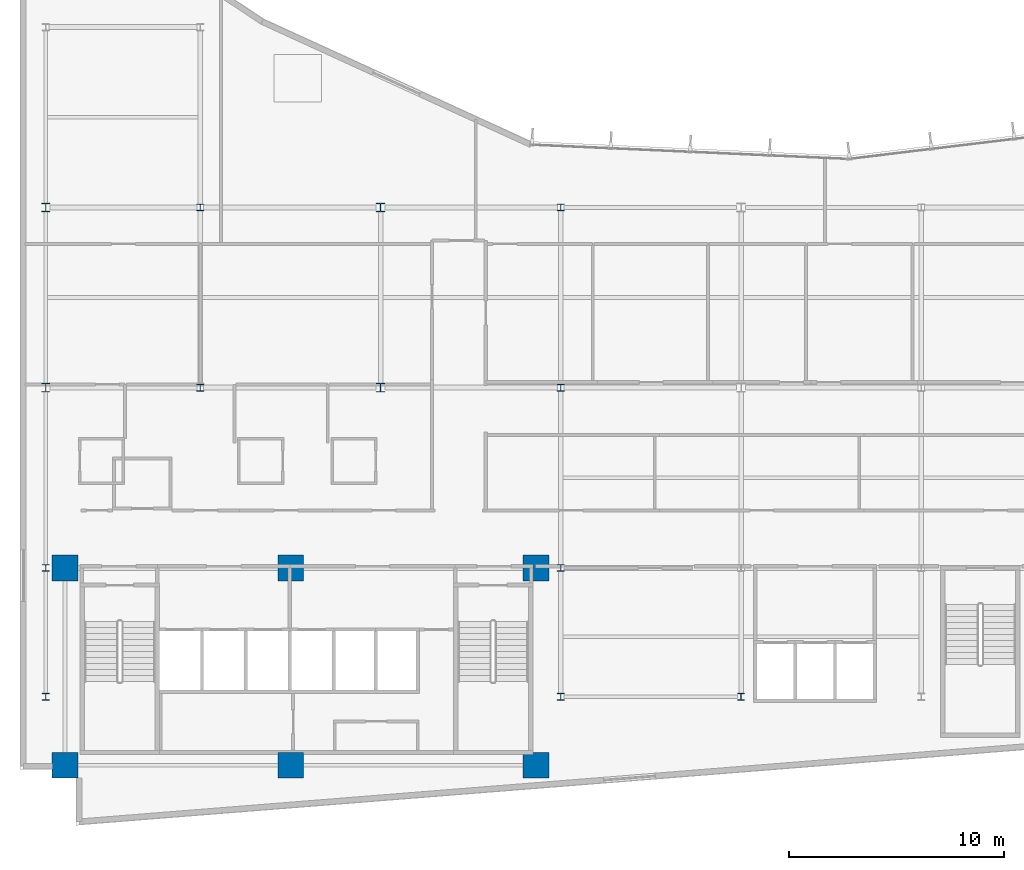
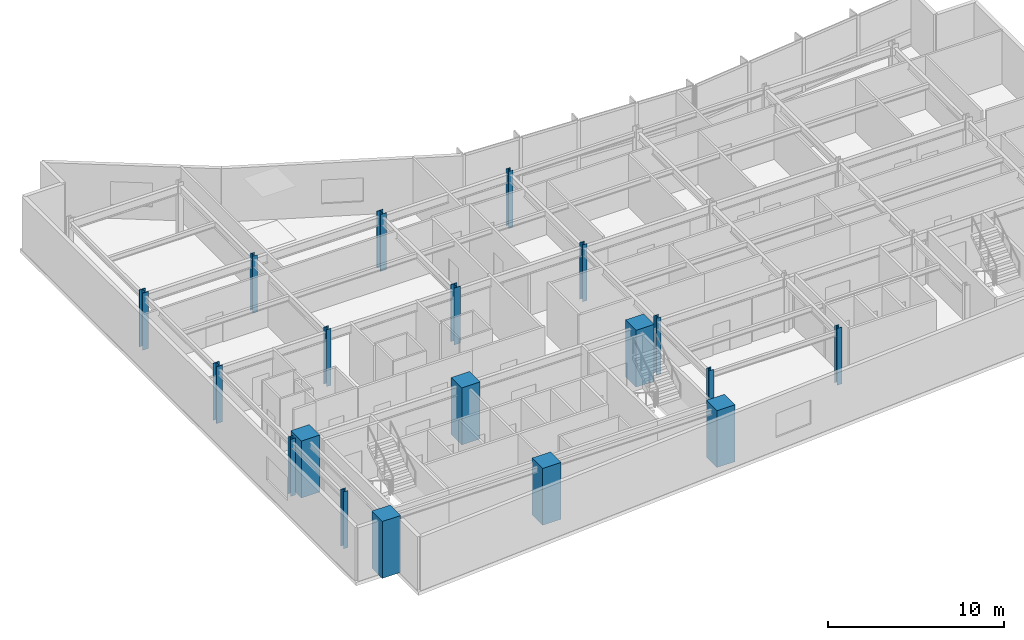
# One storey, part 1 of 18: 19 columns.
"""IFC4 building model written with IfcOpenShell, lengths in metres."""

import ifcopenshell
import ifcopenshell.guid

model = None  # the IFC model being written
_history = None  # IfcOwnerHistory: only IFC2X3 demands one
_inside = {}  # id of a spatial element -> (the spatial element, [elements in it])
_under = {}  # id of a project, library or spatial element -> (it, [spatial elements below it])
_declared = {}  # id of a project -> (the project, [libraries it declares])
_typed = {}  # id of a type object -> (the type object, [elements of that type])
_made_of = {}  # id of a material, layer set ... -> (it, [elements and type objects made of it])


def new_model(schema):
    """Start an empty IFC model of exactly this schema.

    Asked for "IFC4X3", IfcOpenShell would pick the latest addendum, in which some entities
    have other attributes; the version numbers below select the first issue.
    IFC2X3 requires an IfcOwnerHistory on every rooted entity: one is made here for all.
    """
    global model, _history
    if schema == "IFC4X3":
        model = ifcopenshell.file(schema_version=(4, 3, 0, 0))
    else:
        model = ifcopenshell.file(schema=schema)
    _inside.clear()
    _under.clear()
    _declared.clear()
    _typed.clear()
    _made_of.clear()
    _history = None
    if model.schema == "IFC2X3":
        org = make("IfcOrganization", Name="unknown")
        user = make(
            "IfcPersonAndOrganization",
            ThePerson=make("IfcPerson", FamilyName="unknown"),
            TheOrganization=org,
        )
        app = make(
            "IfcApplication",
            ApplicationDeveloper=org,
            Version="unknown",
            ApplicationFullName="unknown",
            ApplicationIdentifier="unknown",
        )
        _history = make(
            "IfcOwnerHistory",
            OwningUser=user,
            OwningApplication=app,
            ChangeAction="ADDED",
            CreationDate=0,
        )
    return model


def make(cls, **values):
    """One entity of the class cls with the attributes given. An attribute that is None is left unset."""
    return model.create_entity(
        cls, **{name: value for name, value in values.items() if value is not None}
    )


def rooted(cls, **values):
    """An entity with a GlobalId (a new one), such as an element, a storey or a relation."""
    return make(cls, GlobalId=ifcopenshell.guid.new(), OwnerHistory=_history, **values)


def si_unit(unit_type, name, prefix=None):
    """IfcSIUnit, for example si_unit("LENGTHUNIT", "METRE", prefix="MILLI")."""
    return make("IfcSIUnit", UnitType=unit_type, Prefix=prefix, Name=name)


def assignment(units):
    """IfcUnitAssignment: the units of a project."""
    return None if units is None else make("IfcUnitAssignment", Units=units)


def point(xyz):
    """IfcCartesianPoint."""
    return None if xyz is None else make("IfcCartesianPoint", Coordinates=xyz)


def direction(xyz):
    """IfcDirection."""
    return None if xyz is None else make("IfcDirection", DirectionRatios=xyz)


def frame(location, z_axis=None, x_axis=None):
    """IfcAxis2Placement3D, a coordinate frame: its origin and axes. An axis left out is left unset."""
    return make(
        "IfcAxis2Placement3D",
        Location=point(location),
        Axis=direction(z_axis),
        RefDirection=direction(x_axis),
    )


def frame_2d(location, x_axis=None):
    """IfcAxis2Placement2D, a coordinate frame in the plane: its origin and x axis."""
    return make(
        "IfcAxis2Placement2D", Location=point(location), RefDirection=direction(x_axis)
    )


def origin():
    """The frame at (0, 0, 0) with its axes left unset."""
    return frame((0.0, 0.0, 0.0))


def origin_2d():
    """The frame at (0, 0) in the plane with its x axis left unset."""
    return frame_2d((0.0, 0.0))


def place(relative_to, where):
    """IfcLocalPlacement: puts the frame where relative to a parent placement (None: the world)."""
    return make(
        "IfcLocalPlacement", PlacementRelTo=relative_to, RelativePlacement=where
    )


def context(
    kind, dimensions, precision=None, world=None, true_north=None, identifier=None
):
    """IfcGeometricRepresentationContext, for example the 3D "Model" context."""
    return make(
        "IfcGeometricRepresentationContext",
        ContextIdentifier=identifier,
        ContextType=kind,
        CoordinateSpaceDimension=dimensions,
        Precision=precision,
        WorldCoordinateSystem=world,
        TrueNorth=true_north,
    )


def subcontext(parent, identifier, kind, view, scale=None):
    """IfcGeometricRepresentationSubContext, for example "Body" below "Model"."""
    return make(
        "IfcGeometricRepresentationSubContext",
        ContextIdentifier=identifier,
        ContextType=kind,
        ParentContext=parent,
        TargetScale=scale,
        TargetView=view,
    )


def project(units=None, contexts=None):
    """IfcProject with its units and contexts."""
    return rooted(
        "IfcProject",
        Name="project",
        RepresentationContexts=contexts,
        UnitsInContext=assignment(units),
    )


def spatial(cls, under=None, at=None, **own):
    """A site, building, storey or space (cls), placed at a placement, below another one or the project."""
    s = rooted(cls, ObjectPlacement=at, **own)
    if under is not None:
        _under.setdefault(under.id(), (under, []))[1].append(s)
    return s


def profile(cls, at=None, kind="AREA", **sizes):
    """A parametric profile (cls). Its sizes go by their IFC names, for example OverallWidth=200.0."""
    return make(cls, ProfileType=kind, Position=at, **sizes)


def rectangle(**sizes):
    """IfcRectangleProfileDef."""
    return profile("IfcRectangleProfileDef", **sizes)


def i_section(**sizes):
    """IfcIShapeProfileDef."""
    return profile("IfcIShapeProfileDef", **sizes)


def extrude(swept, where, along, depth):
    """IfcExtrudedAreaSolid: the profile swept, set in the frame where, extruded along a direction by depth."""
    return make(
        "IfcExtrudedAreaSolid",
        SweptArea=swept,
        Position=where,
        ExtrudedDirection=direction(along),
        Depth=depth,
    )


def shape(context_of_items, identifier, shape_type, items):
    """IfcShapeRepresentation: the items that make up one representation, for example the "Body"."""
    return make(
        "IfcShapeRepresentation",
        ContextOfItems=context_of_items,
        RepresentationIdentifier=identifier,
        RepresentationType=shape_type,
        Items=items,
    )


def material(Name=None, Category=None):
    """IfcMaterial."""
    return make("IfcMaterial", Name=Name, Category=Category)


def material_profile(
    of_material, cross_section, Name=None, Category=None, Priority=None
):
    """IfcMaterialProfile: a cross section and its material."""
    return make(
        "IfcMaterialProfile",
        Name=Name,
        Material=of_material,
        Profile=cross_section,
        Priority=Priority,
        Category=Category,
    )


def profile_set(profiles, Name=None, composite=None):
    """IfcMaterialProfileSet."""
    return make(
        "IfcMaterialProfileSet",
        Name=Name,
        MaterialProfiles=profiles,
        CompositeProfile=composite,
    )


def made_of(thing, what):
    """Note that an element or type object is made of a material, layer set ...; save() writes the relation."""
    if what is not None:
        _made_of.setdefault(what.id(), (what, []))[1].append(thing)
    return thing


def type_object(cls, material=None, **own):
    """A type object (cls), such as IfcWallType, which elements share."""
    return made_of(rooted(cls, **own), material)


def element(
    cls,
    number,
    at=None,
    inside=None,
    cuts=None,
    type_object=None,
    material=None,
    context=None,
    identifier="Body",
    shape_type=None,
    held_by="IfcProductDefinitionShape",
    body=None,
    shapes=None,
    **own,
):
    """One element of the class cls, such as IfcWall. Its Tag is "e" and its number.

    at: its placement. inside: the storey or other place that contains it. cuts: it is an
    opening in that element (IfcRelVoidsElement). A single representation is given by context,
    identifier, shape_type and body (its items); several are given by shapes. held_by: the class
    of the entity that holds the representations. save() writes the other relations.
    """
    e = rooted(cls, Tag="e%d" % number, ObjectPlacement=at, **own)
    if body is not None:
        shapes = [shape(context, identifier, shape_type, body)]
    if shapes is not None:
        e.Representation = make(held_by, Representations=shapes)
    if inside is not None:
        _inside.setdefault(inside.id(), (inside, []))[1].append(e)
    if cuts is not None:
        rooted(
            "IfcRelVoidsElement", RelatingBuildingElement=cuts, RelatedOpeningElement=e
        )
    if type_object is not None:
        _typed.setdefault(type_object.id(), (type_object, []))[1].append(e)
    return made_of(e, material)


def aggregate(whole, parts):
    """IfcRelAggregates: a whole, such as a stair, and the parts it consists of."""
    return rooted("IfcRelAggregates", RelatingObject=whole, RelatedObjects=parts)


def save(model, path):
    """Write the relations noted so far, then the file.

    IfcRelAggregates (storeys below a building ...), IfcRelContainedInSpatialStructure (elements
    in a storey), IfcRelDefinesByType, IfcRelAssociatesMaterial and IfcRelDeclares: one each for
    every whole, place, type object, material and project.
    """
    for whole, parts in _under.values():
        aggregate(whole, parts)
    for where, things in _inside.values():
        rooted(
            "IfcRelContainedInSpatialStructure",
            RelatedElements=things,
            RelatingStructure=where,
        )
    for kind, things in _typed.values():
        rooted("IfcRelDefinesByType", RelatedObjects=things, RelatingType=kind)
    for what, things in _made_of.values():
        rooted("IfcRelAssociatesMaterial", RelatedObjects=things, RelatingMaterial=what)
    for by, libraries in _declared.values():
        rooted("IfcRelDeclares", RelatingContext=by, RelatedDefinitions=libraries)
    model.write(path)


model = new_model("IFC4")

# Units and contexts
model_context = context("Model", 3, precision=1e-05, world=origin(), true_north=direction((0.0, 1.0)))
body_context = subcontext(model_context, "Body", "Model", "MODEL_VIEW")
ifc_project = project(units=[si_unit("LENGTHUNIT", "METRE"), si_unit("AREAUNIT", "SQUARE_METRE"), si_unit("VOLUMEUNIT", "CUBIC_METRE"), si_unit("PLANEANGLEUNIT", "RADIAN"), si_unit("MASSUNIT", "GRAM", prefix="KILO")], contexts=[model_context])

# Site, building, storey
site_placement = place(None, origin())
site = spatial("IfcSite", under=ifc_project, at=site_placement, CompositionType="ELEMENT")
building_placement = place(site_placement, origin())
building = spatial("IfcBuilding", under=site, at=building_placement, Name="Varnakote Quay Hospital", CompositionType="ELEMENT")
storey_placement = place(building_placement, frame((0.0, 0.0, 150.75)))
storey = spatial("IfcBuildingStorey", under=building, at=storey_placement, Name="L37", CompositionType="ELEMENT", Elevation=150.75)

# Columns
ifc_material_1 = material(Name="Concrete N80 (f'c 80 MPa)", Category="concrete")
ifc_material_profile_1 = material_profile(ifc_material_1, rectangle(XDim=1.199951171875, YDim=1.199951171875, at=origin_2d()), Name="RC-COL-1200x1200")
ifc_profile_set_1 = profile_set([ifc_material_profile_1], Name="Concrete N80 (f'c 80 MPa)")
column_type_1 = type_object("IfcColumnType", Name="COL-RC-1200", PredefinedType="COLUMN", material=ifc_profile_set_1)
for number, where, z_axis, x_axis, name in (
    (1, (2.10009765625, 2.800048828125, 0.0), (0.0, 0.0, 1.0), (1.0, 0.0, 0.0), "L37 Structural Column C-2-3"),
    (2, (12.6201171875, 2.800048828125, 0.0), (0.0, 0.0, 1.0), (1.0, 0.0, 0.0), "L37 Structural Column C-13-3"),
    (3, (24.050048828125, 2.800048828125, 0.0), (0.0, 0.0, 1.0), (1.0, 0.0, 0.0), "L37 Structural Column C-24-3"),
    (4, (2.10009765625, 12.0, 0.0), (0.0, 0.0, 1.0), (1.0, 0.0, 0.0), "L37 Structural Column C-2-12"),
    (5, (12.6201171875, 12.0, 0.0), (0.0, 0.0, 1.0), (1.0, 0.0, 0.0), "L37 Structural Column C-13-12"),
    (6, (24.050048828125, 12.0, 0.0), (0.0, 0.0, 1.0), (1.0, 0.0, 0.0), "L37 Structural Column C-24-12"),
):
    element("IfcColumn", number, at=place(storey_placement, frame(where, z_axis=z_axis, x_axis=x_axis)), inside=storey, type_object=column_type_1, Name=name, PredefinedType="COLUMN", context=body_context, shape_type="SweptSolid", body=[
        extrude(rectangle(XDim=1.199951171875, YDim=1.199951171875, at=origin_2d()), origin(), (0.0, 0.0, 1.0), 3.949951171875),
    ])
ifc_material_2 = material(Name="Structural steel AS/NZS 3679.1 Grade 350 L0 (fy 340 MPa)", Category="steel")
ifc_material_profile_2 = material_profile(ifc_material_2, i_section(OverallWidth=0.306884765625, OverallDepth=0.31494140625, WebThickness=0.011962890625, FlangeThickness=0.018798828125, FilletRadius=0.0166015625, at=origin_2d()), Name="310UC118")
ifc_profile_set_2 = profile_set([ifc_material_profile_2], Name="Structural steel AS/NZS 3679.1 Grade 350 L0 (fy 340 MPa)")
column_type_2 = type_object("IfcColumnType", Name="COL-STL-310UC118", PredefinedType="COLUMN", material=ifc_profile_set_2)
for number, where, z_axis, x_axis, name in (
    (7, (1.199951171875, 6.0, 0.0), (0.0, 0.0, 1.0), (1.0, 0.0, 0.0), "L37 Structural Column C-1-6"),
    (8, (25.199951171875, 6.0, 0.0), (0.0, 0.0, 1.0), (1.0, 0.0, 0.0), "L37 Structural Column C-25-6"),
    (9, (33.60009765625, 6.0, 0.0), (0.0, 0.0, 1.0), (1.0, 0.0, 0.0), "L37 Structural Column C-34-6"),
    (10, (1.199951171875, 12.0, 0.0), (0.0, 0.0, 1.0), (1.0, 0.0, 0.0), "L37 Structural Column C-1-12"),
    (11, (25.199951171875, 12.0, 0.0), (0.0, 0.0, 1.0), (1.0, 0.0, 0.0), "L37 Structural Column C-25-12"),
    (12, (8.39990234375, 20.39990234375, 0.0), (0.0, 0.0, 1.0), (1.0, 0.0, 0.0), "L37 Structural Column C-8-20"),
    (13, (25.199951171875, 20.39990234375, 0.0), (0.0, 0.0, 1.0), (1.0, 0.0, 0.0), "L37 Structural Column C-25-20"),
    (14, (8.39990234375, 28.800048828125, 0.0), (0.0, 0.0, 1.0), (1.0, 0.0, 0.0), "L37 Structural Column C-8-29"),
    (15, (25.199951171875, 28.800048828125, 0.0), (0.0, 0.0, 1.0), (1.0, 0.0, 0.0), "L37 Structural Column C-25-29"),
):
    element("IfcColumn", number, at=place(storey_placement, frame(where, z_axis=z_axis, x_axis=x_axis)), inside=storey, type_object=column_type_2, Name=name, PredefinedType="COLUMN", context=body_context, shape_type="SweptSolid", body=[
        extrude(i_section(OverallWidth=0.306884765625, OverallDepth=0.31494140625, WebThickness=0.011962890625, FlangeThickness=0.018798828125, FilletRadius=0.0166015625, at=origin_2d()), origin(), (0.0, 0.0, 1.0), 3.949951171875),
    ])
ifc_material_3 = material(Name="Structural steel AS/NZS 3678 Grade 350 (fy 340 MPa)", Category="steel")
ifc_material_profile_3 = material_profile(ifc_material_3, i_section(OverallWidth=0.39990234375, OverallDepth=0.419921875, WebThickness=0.02490234375, FlangeThickness=0.0400390625, at=origin_2d()), Name="400WC328")
ifc_profile_set_3 = profile_set([ifc_material_profile_3], Name="Structural steel AS/NZS 3678 Grade 350 (fy 340 MPa)")
column_type_3 = type_object("IfcColumnType", Name="COL-STL-400WC328", PredefinedType="COLUMN", material=ifc_profile_set_3)
for number, where, z_axis, x_axis, name in (
    (16, (1.199951171875, 20.39990234375, 0.0), (0.0, 0.0, 1.0), (1.0, 0.0, 0.0), "L37 Structural Column C-1-20"),
    (17, (16.800048828125, 20.39990234375, 0.0), (0.0, 0.0, 1.0), (1.0, 0.0, 0.0), "L37 Structural Column C-17-20"),
    (18, (1.199951171875, 28.800048828125, 0.0), (0.0, 0.0, 1.0), (1.0, 0.0, 0.0), "L37 Structural Column C-1-29"),
    (19, (16.800048828125, 28.800048828125, 0.0), (0.0, 0.0, 1.0), (1.0, 0.0, 0.0), "L37 Structural Column C-17-29"),
):
    element("IfcColumn", number, at=place(storey_placement, frame(where, z_axis=z_axis, x_axis=x_axis)), inside=storey, type_object=column_type_3, Name=name, PredefinedType="COLUMN", context=body_context, shape_type="SweptSolid", body=[
        extrude(i_section(OverallWidth=0.39990234375, OverallDepth=0.419921875, WebThickness=0.02490234375, FlangeThickness=0.0400390625, at=origin_2d()), origin(), (0.0, 0.0, 1.0), 3.949951171875),
    ])

save(model, "model.ifc")
